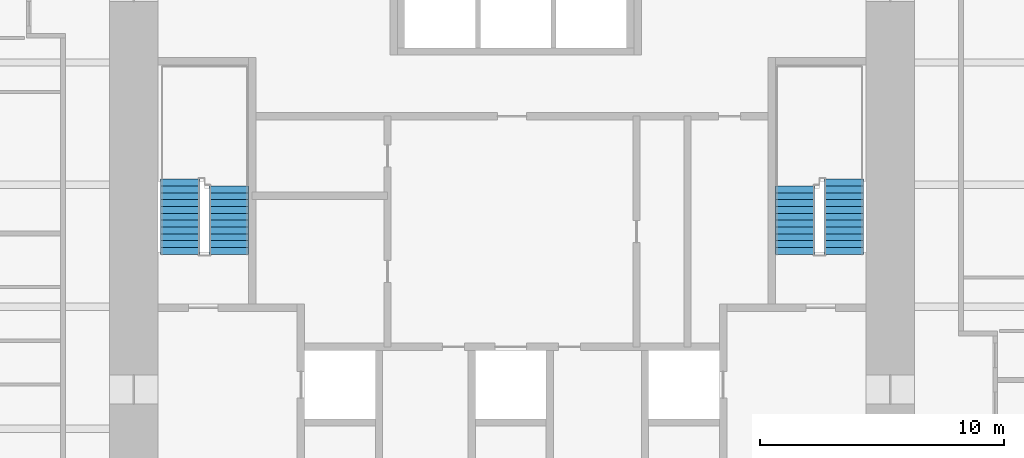
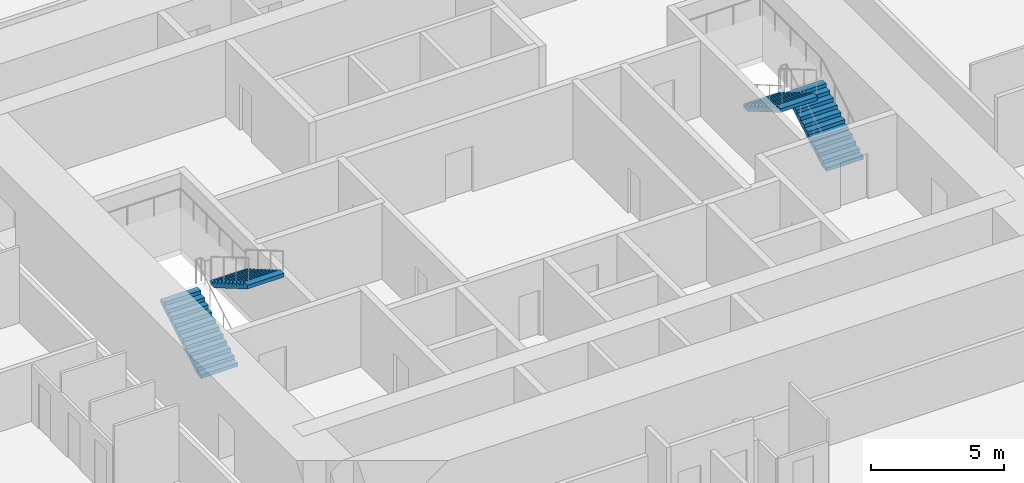
# One storey, part 16 of 17: 4 stair flights, 2 elements without a shape of their own.
"""IFC4 building model written with IfcOpenShell, lengths in metres."""

from ifc_helpers import new_model, si_unit, direction, frame, origin, place, context, subcontext, project, spatial, polyline, outline, extrude, material, type_object, element, aggregate, save


model = new_model("IFC4")

# Units and contexts
model_context = context("Model", 3, precision=1e-05, world=origin(), true_north=direction((0.0, 1.0)))
body_context = subcontext(model_context, "Body", "Model", "MODEL_VIEW")
ifc_project = project(units=[si_unit("LENGTHUNIT", "METRE"), si_unit("AREAUNIT", "SQUARE_METRE"), si_unit("VOLUMEUNIT", "CUBIC_METRE"), si_unit("PLANEANGLEUNIT", "RADIAN"), si_unit("MASSUNIT", "GRAM", prefix="KILO")], contexts=[model_context])

# Site, building, storey
site_placement = place(None, origin())
site = spatial("IfcSite", under=ifc_project, at=site_placement, CompositionType="ELEMENT")
building_placement = place(site_placement, origin())
building = spatial("IfcBuilding", under=site, at=building_placement, Name="Khuree Lantern Residences", CompositionType="ELEMENT")
storey_placement = place(building_placement, frame((0.0, 0.0, 88.5)))
storey = spatial("IfcBuildingStorey", under=building, at=storey_placement, Name="L22", CompositionType="ELEMENT", Elevation=88.5)

# Stair, stair flights
ifc_material = material(Name="Concrete C40/50", Category="concrete")
stair_type = type_object("IfcStairType", Name="STAIR ST1 HALF TURN 3600", PredefinedType="HALF_TURN_STAIR", material=ifc_material)
stair_1_placement = place(storey_placement, origin())
stair_1 = element("IfcStair", 1, at=stair_1_placement, inside=storey, type_object=stair_type, Name="Stair ST1", PredefinedType="HALF_TURN_STAIR")
stair_flight_type = type_object("IfcStairFlightType", Name="STAIR FLIGHT SF1 1600", PredefinedType="STRAIGHT", material=ifc_material)
stair_flight_1_placement = place(storey_placement, frame((-13.60009765625, -2.860107421875, 0.0), z_axis=(0.0, 0.0, 1.0), x_axis=(0.0, 1.0, 0.0)))
stair_flight_1 = element("IfcStairFlight", 2, at=stair_flight_1_placement, type_object=stair_flight_type, Name="ST1 flight 1", NumberOfRisers=12, NumberOfTreads=11, PredefinedType="STRAIGHT", RiserHeight=0.163043478, TreadLength=0.28, context=body_context, shape_type="SweptSolid", body=[
    extrude(outline(polyline([(0.0, 0.0), (0.0, 0.1630859375), (0.280029296875, 0.1630859375), (0.280029296875, 0.326171875), (0.56005859375, 0.326171875), (0.56005859375, 0.489013671875), (0.840087890625, 0.489013671875), (0.840087890625, 0.652099609375), (1.1201171875, 0.652099609375), (1.1201171875, 0.815185546875), (1.39990234375, 0.815185546875), (1.39990234375, 0.978271484375), (1.679931640625, 0.978271484375), (1.679931640625, 1.141357421875), (1.9599609375, 1.141357421875), (1.9599609375, 1.304443359375), (2.239990234375, 1.304443359375), (2.239990234375, 1.46728515625), (2.52001953125, 1.46728515625), (2.52001953125, 1.63037109375), (2.800048828125, 1.63037109375), (2.800048828125, 1.79345703125), (3.080078125, 1.79345703125), (3.080078125, 1.95654296875), (3.080078125, 1.6201171875), (0.2978515625, 0.0), (0.0, 0.0)])), frame((0.0, 0.800048828125, 0.0), z_axis=(0.0, -1.0, 0.0), x_axis=(1.0, 0.0, 0.0)), (0.0, 0.0, 1.0), 1.60009765625),
])
stair_flight_2_placement = place(storey_placement, frame((-11.60009765625, -0.06005859375, 1.95654296875), z_axis=(0.0, 0.0, 1.0), x_axis=(0.0, -1.0, 0.0)))
stair_flight_2 = element("IfcStairFlight", 3, at=stair_flight_2_placement, type_object=stair_flight_type, Name="ST1 flight 2", NumberOfRisers=11, NumberOfTreads=10, PredefinedType="STRAIGHT", RiserHeight=0.163043478, TreadLength=0.28, context=body_context, shape_type="SweptSolid", body=[
    extrude(outline(polyline([(0.0, 0.0), (0.0, 0.1630859375), (0.280029296875, 0.1630859375), (0.280029296875, 0.326171875), (0.56005859375, 0.326171875), (0.56005859375, 0.489013671875), (0.840087890625, 0.489013671875), (0.840087890625, 0.652099609375), (1.1201171875, 0.652099609375), (1.1201171875, 0.815185546875), (1.39990234375, 0.815185546875), (1.39990234375, 0.978271484375), (1.679931640625, 0.978271484375), (1.679931640625, 1.141357421875), (1.9599609375, 1.141357421875), (1.9599609375, 1.304443359375), (2.239990234375, 1.304443359375), (2.239990234375, 1.46728515625), (2.52001953125, 1.46728515625), (2.52001953125, 1.63037109375), (2.800048828125, 1.63037109375), (2.800048828125, 1.79345703125), (2.800048828125, 1.45703125), (0.2978515625, 0.0), (0.0, 0.0)])), frame((0.0, 0.800048828125, 0.0), z_axis=(0.0, -1.0, 0.0), x_axis=(1.0, 0.0, 0.0)), (0.0, 0.0, 1.0), 1.60009765625),
])
aggregate(stair_1, [stair_flight_1, stair_flight_2])

stair_2_placement = place(storey_placement, origin())
stair_2 = element("IfcStair", 4, at=stair_2_placement, inside=storey, type_object=stair_type, Name="Stair ST2", PredefinedType="HALF_TURN_STAIR")
stair_flight_3_placement = place(storey_placement, frame((13.60009765625, -2.860107421875, 0.0), z_axis=(0.0, 0.0, 1.0), x_axis=(0.0, 1.0, 0.0)))
stair_flight_3 = element("IfcStairFlight", 5, at=stair_flight_3_placement, type_object=stair_flight_type, Name="ST2 flight 1", NumberOfRisers=12, NumberOfTreads=11, PredefinedType="STRAIGHT", RiserHeight=0.163043478, TreadLength=0.28, context=body_context, shape_type="SweptSolid", body=[
    extrude(outline(polyline([(0.0, 0.0), (0.0, 0.1630859375), (0.280029296875, 0.1630859375), (0.280029296875, 0.326171875), (0.56005859375, 0.326171875), (0.56005859375, 0.489013671875), (0.840087890625, 0.489013671875), (0.840087890625, 0.652099609375), (1.1201171875, 0.652099609375), (1.1201171875, 0.815185546875), (1.39990234375, 0.815185546875), (1.39990234375, 0.978271484375), (1.679931640625, 0.978271484375), (1.679931640625, 1.141357421875), (1.9599609375, 1.141357421875), (1.9599609375, 1.304443359375), (2.239990234375, 1.304443359375), (2.239990234375, 1.46728515625), (2.52001953125, 1.46728515625), (2.52001953125, 1.63037109375), (2.800048828125, 1.63037109375), (2.800048828125, 1.79345703125), (3.080078125, 1.79345703125), (3.080078125, 1.95654296875), (3.080078125, 1.6201171875), (0.2978515625, 0.0), (0.0, 0.0)])), frame((0.0, 0.800048828125, 0.0), z_axis=(0.0, -1.0, 0.0), x_axis=(1.0, 0.0, 0.0)), (0.0, 0.0, 1.0), 1.60009765625),
])
stair_flight_4_placement = place(storey_placement, frame((11.60009765625, -0.06005859375, 1.95654296875), z_axis=(0.0, 0.0, 1.0), x_axis=(0.0, -1.0, 0.0)))
stair_flight_4 = element("IfcStairFlight", 6, at=stair_flight_4_placement, type_object=stair_flight_type, Name="ST2 flight 2", NumberOfRisers=11, NumberOfTreads=10, PredefinedType="STRAIGHT", RiserHeight=0.163043478, TreadLength=0.28, context=body_context, shape_type="SweptSolid", body=[
    extrude(outline(polyline([(0.0, 0.0), (0.0, 0.1630859375), (0.280029296875, 0.1630859375), (0.280029296875, 0.326171875), (0.56005859375, 0.326171875), (0.56005859375, 0.489013671875), (0.840087890625, 0.489013671875), (0.840087890625, 0.652099609375), (1.1201171875, 0.652099609375), (1.1201171875, 0.815185546875), (1.39990234375, 0.815185546875), (1.39990234375, 0.978271484375), (1.679931640625, 0.978271484375), (1.679931640625, 1.141357421875), (1.9599609375, 1.141357421875), (1.9599609375, 1.304443359375), (2.239990234375, 1.304443359375), (2.239990234375, 1.46728515625), (2.52001953125, 1.46728515625), (2.52001953125, 1.63037109375), (2.800048828125, 1.63037109375), (2.800048828125, 1.79345703125), (2.800048828125, 1.45703125), (0.2978515625, 0.0), (0.0, 0.0)])), frame((0.0, 0.800048828125, 0.0), z_axis=(0.0, -1.0, 0.0), x_axis=(1.0, 0.0, 0.0)), (0.0, 0.0, 1.0), 1.60009765625),
])
aggregate(stair_2, [stair_flight_3, stair_flight_4])

save(model, "model.ifc")
